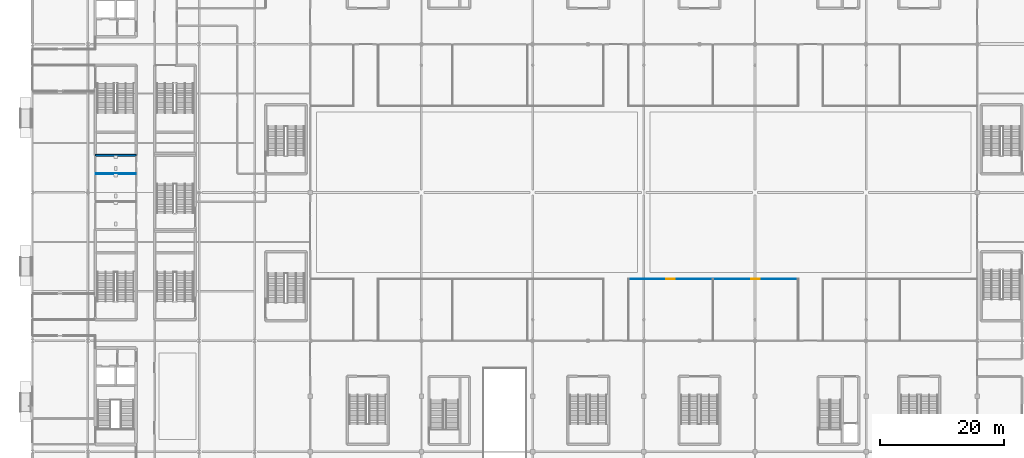
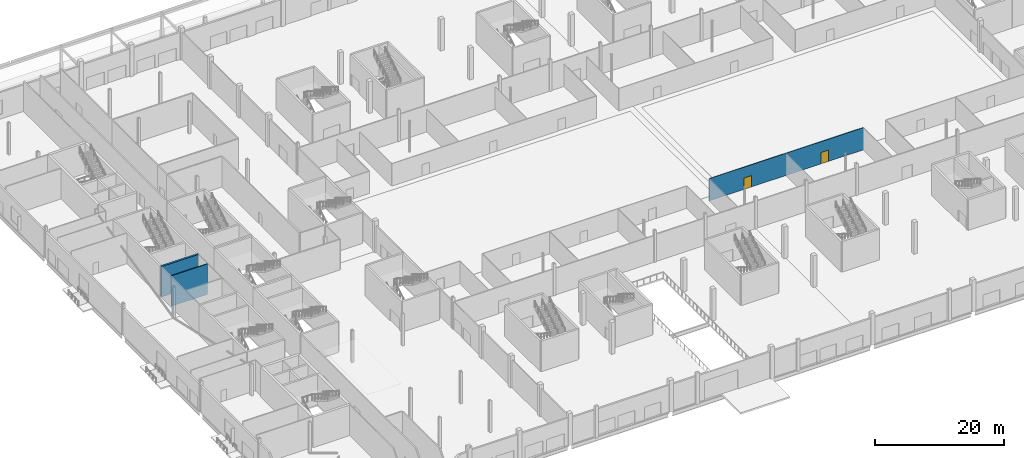
# One storey, part 33 of 84: 3 walls, 2 doors, 2 openings.
"""IFC4 building model written with IfcOpenShell, lengths in metres."""

from ifc_helpers import new_model, si_unit, direction, frame, frame_2d, origin, place, context, subcontext, project, spatial, rectangle, extrude, material, layer, layer_set, type_object, element, fill, save


model = new_model("IFC4")

# Units and contexts
model_context = context("Model", 3, precision=1e-05, world=origin(), true_north=direction((0.0, 1.0)))
body_context = subcontext(model_context, "Body", "Model", "MODEL_VIEW")
ifc_project = project(units=[si_unit("LENGTHUNIT", "METRE"), si_unit("AREAUNIT", "SQUARE_METRE"), si_unit("VOLUMEUNIT", "CUBIC_METRE"), si_unit("PLANEANGLEUNIT", "RADIAN"), si_unit("MASSUNIT", "GRAM", prefix="KILO")], contexts=[model_context])

# Site, building, storey
site_placement = place(None, origin())
site = spatial("IfcSite", under=ifc_project, at=site_placement, CompositionType="ELEMENT")
building_placement = place(site_placement, origin())
building = spatial("IfcBuilding", under=site, at=building_placement, Name="Kisiwana Market Hall", CompositionType="ELEMENT")
storey_placement = place(building_placement, origin())
storey = spatial("IfcBuildingStorey", under=building, at=storey_placement, Name="L00", CompositionType="ELEMENT", Elevation=0.0)

# Wall
ifc_material_1 = material(Name="Concrete C40/50", Category="concrete")
ifc_layer_1 = layer(ifc_material_1, 0.320068359375, Name="Reinforced concrete shaft wall")
ifc_layer_set_1 = layer_set([ifc_layer_1], Name="WL-CORE-320")
wall_type_1 = type_object("IfcWallType", Name="WL-CORE-320", PredefinedType="SHEAR", material=ifc_layer_set_1)
wall_1_placement = place(storey_placement, frame((10.199951171875, 66.0, 0.0), z_axis=(0.0, 0.0, 1.0), x_axis=(1.0, 0.0, 0.0)))
element("IfcWall", 1, at=wall_1_placement, inside=storey, type_object=wall_type_1, Name="Core W4 south shear wall W-0398", PredefinedType="SHEAR", context=body_context, shape_type="SweptSolid", body=[
    extrude(rectangle(XDim=6.60009765625, YDim=0.320068359375, at=frame_2d((3.300048828125, 0.0))), origin(), (0.0, 0.0, 1.0), 5.75),
])

# Wall, openings, doors
ifc_material_2 = material(Name="Masonry blockwork", Category="masonry")
ifc_layer_2 = layer(ifc_material_2, 0.10009765625, Name="Tiled stall dwarf/full partition")
ifc_layer_set_2 = layer_set([ifc_layer_2], Name="WL-STALL-100")
wall_type_2 = type_object("IfcWallType", Name="WL-STALL-100", PredefinedType="PARTITIONING", material=ifc_layer_set_2)
wall_2_placement = place(storey_placement, frame((96.5, 46.0, 0.0), z_axis=(0.0, 0.0, 1.0), x_axis=(1.0, 0.0, 0.0)))
wall_2 = element("IfcWall", 2, at=wall_2_placement, inside=storey, type_object=wall_type_2, Name="Interior partition W-0617", PredefinedType="PARTITIONING", context=body_context, shape_type="SweptSolid", body=[
    extrude(rectangle(XDim=27.5, YDim=0.10009765625, at=frame_2d((13.75, 0.0))), origin(), (0.0, 0.0, 1.0), 4.199951171875),
])
opening_1_placement = place(wall_2_placement, frame((6.175048828125, 0.0, 0.0)))
opening_1 = element("IfcOpeningElement", 3, at=opening_1_placement, cuts=wall_2, Name="Opening DR-L00-087", PredefinedType="OPENING", context=body_context, shape_type="SweptSolid", body=[
    extrude(rectangle(XDim=1.35009765625, YDim=2.14990234375, at=frame_2d((0.675048828125, 1.074951171875))), frame((0.0, 0.06201171875, 0.0), z_axis=(0.0, -1.0, 0.0), x_axis=(1.0, 0.0, 0.0)), (0.0, 0.0, 1.0), 0.1240234375),
])
opening_2_placement = place(wall_2_placement, frame((19.925048828125, 0.0, 0.0)))
opening_2 = element("IfcOpeningElement", 4, at=opening_2_placement, cuts=wall_2, Name="Opening DR-L00-088", PredefinedType="OPENING", context=body_context, shape_type="SweptSolid", body=[
    extrude(rectangle(XDim=1.35009765625, YDim=2.14990234375, at=frame_2d((0.675048828125, 1.074951171875))), frame((0.0, 0.06201171875, 0.0), z_axis=(0.0, -1.0, 0.0), x_axis=(1.0, 0.0, 0.0)), (0.0, 0.0, 1.0), 0.1240234375),
])
ifc_material_3 = material(Name="Aluminium alloy 6063-T6", Category="aluminium")
door_type = type_object("IfcDoorType", Name="DR-STALL-1350", OperationType="SLIDING_TO_RIGHT", PredefinedType="DOOR", material=ifc_material_3)
door_1_placement = place(opening_1_placement, origin())
door_1 = element("IfcDoor", 5, at=door_1_placement, inside=storey, type_object=door_type, Name="L00 Dry Goods Stall S05 Door", OperationType="SLIDING_TO_RIGHT", OverallHeight=2.14990234375, OverallWidth=1.35009765625, PredefinedType="DOOR", context=body_context, shape_type="SweptSolid", body=[
    extrude(rectangle(XDim=1.35009765625, YDim=2.14990234375, at=frame_2d((0.675048828125, 1.074951171875))), frame((0.0, 0.02490234375, 0.0), z_axis=(0.0, -1.0, 0.0), x_axis=(1.0, 0.0, 0.0)), (0.0, 0.0, 1.0), 0.050048828125),
])
fill(opening_1, door_1)
door_2_placement = place(opening_2_placement, origin())
door_2 = element("IfcDoor", 6, at=door_2_placement, inside=storey, type_object=door_type, Name="L00 Produce Stall S06 Door", OperationType="SLIDING_TO_RIGHT", OverallHeight=2.14990234375, OverallWidth=1.35009765625, PredefinedType="DOOR", context=body_context, shape_type="SweptSolid", body=[
    extrude(rectangle(XDim=1.35009765625, YDim=2.14990234375, at=frame_2d((0.675048828125, 1.074951171875))), frame((0.0, 0.02490234375, 0.0), z_axis=(0.0, -1.0, 0.0), x_axis=(1.0, 0.0, 0.0)), (0.0, 0.0, 1.0), 0.050048828125),
])
fill(opening_2, door_2)

# Wall
ifc_material_4 = material(Name="Masonry blockwork", Category="masonry")
ifc_layer_3 = layer(ifc_material_4, 0.14990234375, Name="Water-resistant sanitary block wall")
ifc_layer_set_3 = layer_set([ifc_layer_3], Name="WL-WET-150")
wall_type_3 = type_object("IfcWallType", Name="WL-WET-150", PredefinedType="PARTITIONING", material=ifc_layer_set_3)
wall_3_placement = place(storey_placement, frame((10.284912109375, 63.0, 0.0), z_axis=(0.0, 0.0, 1.0), x_axis=(1.0, 0.0, 0.0)))
element("IfcWall", 7, at=wall_3_placement, inside=storey, type_object=wall_type_3, Name="Interior partition W-0536", PredefinedType="PARTITIONING", context=body_context, shape_type="SweptSolid", body=[
    extrude(rectangle(XDim=6.43017578125, YDim=0.14990234375, at=frame_2d((3.215087890625, 0.0))), origin(), (0.0, 0.0, 1.0), 5.75),
])

save(model, "model.ifc")
